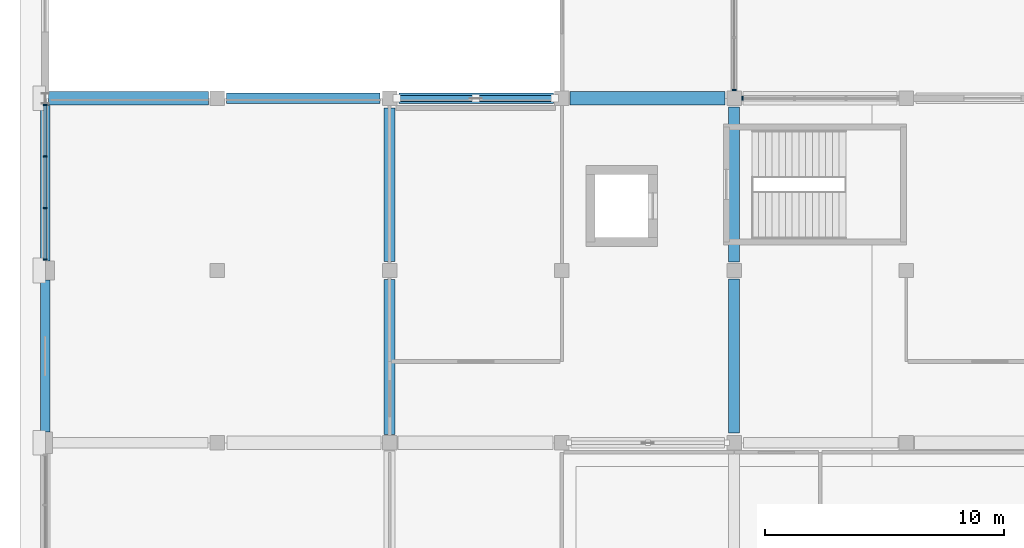
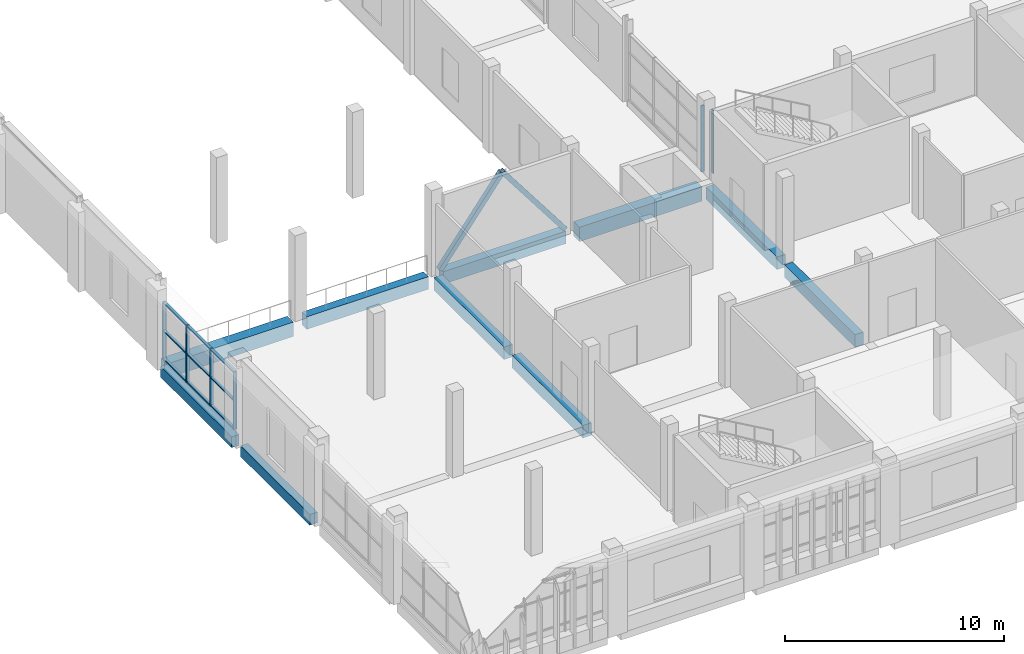
# One storey, part 18 of 82: 17 members, 10 beams, 3 elements without a shape of their own.
"""IFC4 building model written with IfcOpenShell, lengths in metres."""

import ifcopenshell
import ifcopenshell.guid

model = None  # the IFC model being written
_history = None  # IfcOwnerHistory: only IFC2X3 demands one
_inside = {}  # id of a spatial element -> (the spatial element, [elements in it])
_under = {}  # id of a project, library or spatial element -> (it, [spatial elements below it])
_declared = {}  # id of a project -> (the project, [libraries it declares])
_typed = {}  # id of a type object -> (the type object, [elements of that type])
_made_of = {}  # id of a material, layer set ... -> (it, [elements and type objects made of it])


def new_model(schema):
    """Start an empty IFC model of exactly this schema.

    Asked for "IFC4X3", IfcOpenShell would pick the latest addendum, in which some entities
    have other attributes; the version numbers below select the first issue.
    IFC2X3 requires an IfcOwnerHistory on every rooted entity: one is made here for all.
    """
    global model, _history
    if schema == "IFC4X3":
        model = ifcopenshell.file(schema_version=(4, 3, 0, 0))
    else:
        model = ifcopenshell.file(schema=schema)
    _inside.clear()
    _under.clear()
    _declared.clear()
    _typed.clear()
    _made_of.clear()
    _history = None
    if model.schema == "IFC2X3":
        org = make("IfcOrganization", Name="unknown")
        user = make(
            "IfcPersonAndOrganization",
            ThePerson=make("IfcPerson", FamilyName="unknown"),
            TheOrganization=org,
        )
        app = make(
            "IfcApplication",
            ApplicationDeveloper=org,
            Version="unknown",
            ApplicationFullName="unknown",
            ApplicationIdentifier="unknown",
        )
        _history = make(
            "IfcOwnerHistory",
            OwningUser=user,
            OwningApplication=app,
            ChangeAction="ADDED",
            CreationDate=0,
        )
    return model


def make(cls, **values):
    """One entity of the class cls with the attributes given. An attribute that is None is left unset."""
    return model.create_entity(
        cls, **{name: value for name, value in values.items() if value is not None}
    )


def rooted(cls, **values):
    """An entity with a GlobalId (a new one), such as an element, a storey or a relation."""
    return make(cls, GlobalId=ifcopenshell.guid.new(), OwnerHistory=_history, **values)


def si_unit(unit_type, name, prefix=None):
    """IfcSIUnit, for example si_unit("LENGTHUNIT", "METRE", prefix="MILLI")."""
    return make("IfcSIUnit", UnitType=unit_type, Prefix=prefix, Name=name)


def assignment(units):
    """IfcUnitAssignment: the units of a project."""
    return None if units is None else make("IfcUnitAssignment", Units=units)


def point(xyz):
    """IfcCartesianPoint."""
    return None if xyz is None else make("IfcCartesianPoint", Coordinates=xyz)


def direction(xyz):
    """IfcDirection."""
    return None if xyz is None else make("IfcDirection", DirectionRatios=xyz)


def frame(location, z_axis=None, x_axis=None):
    """IfcAxis2Placement3D, a coordinate frame: its origin and axes. An axis left out is left unset."""
    return make(
        "IfcAxis2Placement3D",
        Location=point(location),
        Axis=direction(z_axis),
        RefDirection=direction(x_axis),
    )


def frame_2d(location, x_axis=None):
    """IfcAxis2Placement2D, a coordinate frame in the plane: its origin and x axis."""
    return make(
        "IfcAxis2Placement2D", Location=point(location), RefDirection=direction(x_axis)
    )


def origin():
    """The frame at (0, 0, 0) with its axes left unset."""
    return frame((0.0, 0.0, 0.0))


def origin_2d():
    """The frame at (0, 0) in the plane with its x axis left unset."""
    return frame_2d((0.0, 0.0))


def place(relative_to, where):
    """IfcLocalPlacement: puts the frame where relative to a parent placement (None: the world)."""
    return make(
        "IfcLocalPlacement", PlacementRelTo=relative_to, RelativePlacement=where
    )


def context(
    kind, dimensions, precision=None, world=None, true_north=None, identifier=None
):
    """IfcGeometricRepresentationContext, for example the 3D "Model" context."""
    return make(
        "IfcGeometricRepresentationContext",
        ContextIdentifier=identifier,
        ContextType=kind,
        CoordinateSpaceDimension=dimensions,
        Precision=precision,
        WorldCoordinateSystem=world,
        TrueNorth=true_north,
    )


def subcontext(parent, identifier, kind, view, scale=None):
    """IfcGeometricRepresentationSubContext, for example "Body" below "Model"."""
    return make(
        "IfcGeometricRepresentationSubContext",
        ContextIdentifier=identifier,
        ContextType=kind,
        ParentContext=parent,
        TargetScale=scale,
        TargetView=view,
    )


def project(units=None, contexts=None):
    """IfcProject with its units and contexts."""
    return rooted(
        "IfcProject",
        Name="project",
        RepresentationContexts=contexts,
        UnitsInContext=assignment(units),
    )


def spatial(cls, under=None, at=None, **own):
    """A site, building, storey or space (cls), placed at a placement, below another one or the project."""
    s = rooted(cls, ObjectPlacement=at, **own)
    if under is not None:
        _under.setdefault(under.id(), (under, []))[1].append(s)
    return s


def profile(cls, at=None, kind="AREA", **sizes):
    """A parametric profile (cls). Its sizes go by their IFC names, for example OverallWidth=200.0."""
    return make(cls, ProfileType=kind, Position=at, **sizes)


def rectangle(**sizes):
    """IfcRectangleProfileDef."""
    return profile("IfcRectangleProfileDef", **sizes)


def hollow_rectangle(**sizes):
    """IfcRectangleHollowProfileDef."""
    return profile("IfcRectangleHollowProfileDef", **sizes)


def extrude(swept, where, along, depth):
    """IfcExtrudedAreaSolid: the profile swept, set in the frame where, extruded along a direction by depth."""
    return make(
        "IfcExtrudedAreaSolid",
        SweptArea=swept,
        Position=where,
        ExtrudedDirection=direction(along),
        Depth=depth,
    )


def shape(context_of_items, identifier, shape_type, items):
    """IfcShapeRepresentation: the items that make up one representation, for example the "Body"."""
    return make(
        "IfcShapeRepresentation",
        ContextOfItems=context_of_items,
        RepresentationIdentifier=identifier,
        RepresentationType=shape_type,
        Items=items,
    )


def material(Name=None, Category=None):
    """IfcMaterial."""
    return make("IfcMaterial", Name=Name, Category=Category)


def material_profile(
    of_material, cross_section, Name=None, Category=None, Priority=None
):
    """IfcMaterialProfile: a cross section and its material."""
    return make(
        "IfcMaterialProfile",
        Name=Name,
        Material=of_material,
        Profile=cross_section,
        Priority=Priority,
        Category=Category,
    )


def profile_set(profiles, Name=None, composite=None):
    """IfcMaterialProfileSet."""
    return make(
        "IfcMaterialProfileSet",
        Name=Name,
        MaterialProfiles=profiles,
        CompositeProfile=composite,
    )


def made_of(thing, what):
    """Note that an element or type object is made of a material, layer set ...; save() writes the relation."""
    if what is not None:
        _made_of.setdefault(what.id(), (what, []))[1].append(thing)
    return thing


def type_object(cls, material=None, **own):
    """A type object (cls), such as IfcWallType, which elements share."""
    return made_of(rooted(cls, **own), material)


def element(
    cls,
    number,
    at=None,
    inside=None,
    cuts=None,
    type_object=None,
    material=None,
    context=None,
    identifier="Body",
    shape_type=None,
    held_by="IfcProductDefinitionShape",
    body=None,
    shapes=None,
    **own,
):
    """One element of the class cls, such as IfcWall. Its Tag is "e" and its number.

    at: its placement. inside: the storey or other place that contains it. cuts: it is an
    opening in that element (IfcRelVoidsElement). A single representation is given by context,
    identifier, shape_type and body (its items); several are given by shapes. held_by: the class
    of the entity that holds the representations. save() writes the other relations.
    """
    e = rooted(cls, Tag="e%d" % number, ObjectPlacement=at, **own)
    if body is not None:
        shapes = [shape(context, identifier, shape_type, body)]
    if shapes is not None:
        e.Representation = make(held_by, Representations=shapes)
    if inside is not None:
        _inside.setdefault(inside.id(), (inside, []))[1].append(e)
    if cuts is not None:
        rooted(
            "IfcRelVoidsElement", RelatingBuildingElement=cuts, RelatedOpeningElement=e
        )
    if type_object is not None:
        _typed.setdefault(type_object.id(), (type_object, []))[1].append(e)
    return made_of(e, material)


def aggregate(whole, parts):
    """IfcRelAggregates: a whole, such as a stair, and the parts it consists of."""
    return rooted("IfcRelAggregates", RelatingObject=whole, RelatedObjects=parts)


def save(model, path):
    """Write the relations noted so far, then the file.

    IfcRelAggregates (storeys below a building ...), IfcRelContainedInSpatialStructure (elements
    in a storey), IfcRelDefinesByType, IfcRelAssociatesMaterial and IfcRelDeclares: one each for
    every whole, place, type object, material and project.
    """
    for whole, parts in _under.values():
        aggregate(whole, parts)
    for where, things in _inside.values():
        rooted(
            "IfcRelContainedInSpatialStructure",
            RelatedElements=things,
            RelatingStructure=where,
        )
    for kind, things in _typed.values():
        rooted("IfcRelDefinesByType", RelatedObjects=things, RelatingType=kind)
    for what, things in _made_of.values():
        rooted("IfcRelAssociatesMaterial", RelatedObjects=things, RelatingMaterial=what)
    for by, libraries in _declared.values():
        rooted("IfcRelDeclares", RelatingContext=by, RelatedDefinitions=libraries)
    model.write(path)


model = new_model("IFC4")

# Units and contexts
model_context = context("Model", 3, precision=1e-05, world=origin(), true_north=direction((0.0, 1.0)))
body_context = subcontext(model_context, "Body", "Model", "MODEL_VIEW")
ifc_project = project(units=[si_unit("LENGTHUNIT", "METRE"), si_unit("AREAUNIT", "SQUARE_METRE"), si_unit("VOLUMEUNIT", "CUBIC_METRE"), si_unit("PLANEANGLEUNIT", "RADIAN"), si_unit("MASSUNIT", "GRAM", prefix="KILO")], contexts=[model_context])

# Site, building, storey
site_placement = place(None, origin())
site = spatial("IfcSite", under=ifc_project, at=site_placement, CompositionType="ELEMENT")
building_placement = place(site_placement, origin())
building = spatial("IfcBuilding", under=site, at=building_placement, Name="Sardonyx Promenade Sports Hall", CompositionType="ELEMENT")
storey_placement = place(building_placement, frame((0.0, 0.0, 11.199951171875)))
storey = spatial("IfcBuildingStorey", under=building, at=storey_placement, Name="L02", CompositionType="ELEMENT", Elevation=11.199951171875)

# Beams
ifc_material_1 = material(Name="Concrete C40/50", Category="concrete")
ifc_material_profile_1 = material_profile(ifc_material_1, rectangle(XDim=0.550048828125, YDim=0.800048828125, at=origin_2d()))
ifc_profile_set_1 = profile_set([ifc_material_profile_1], Name="Concrete C40/50")
beam_type_1 = type_object("IfcBeamType", Name="Bm_Girder_RC800", PredefinedType="BEAM", material=ifc_profile_set_1)
beam_1_placement = place(storey_placement, frame((0.14990234375, 28.800048828125, -0.39990234375), z_axis=(1.0, 0.0, 0.0), x_axis=(0.0, 1.0, 0.0)))
element("IfcBeam", 1, at=beam_1_placement, inside=storey, type_object=beam_type_1, Name="Beam BG04 L02 #493", PredefinedType="BEAM", context=body_context, shape_type="SweptSolid", body=[
    extrude(rectangle(XDim=0.550048828125, YDim=0.800048828125, at=origin_2d()), origin(), (0.0, 0.0, 1.0), 6.675048828125),
])
beam_2_placement = place(storey_placement, frame((21.949951171875, 28.800048828125, -0.39990234375), z_axis=(1.0, 0.0, 0.0), x_axis=(0.0, 1.0, 0.0)))
element("IfcBeam", 2, at=beam_2_placement, inside=storey, type_object=beam_type_1, Name="Beam BG04 L02 #496", PredefinedType="BEAM", context=body_context, shape_type="SweptSolid", body=[
    extrude(rectangle(XDim=0.550048828125, YDim=0.800048828125, at=origin_2d()), origin(), (0.0, 0.0, 1.0), 6.47509765625),
])
ifc_material_2 = material(Name="Concrete C40/50", Category="concrete")
ifc_material_profile_2 = material_profile(ifc_material_2, rectangle(XDim=0.449951171875, YDim=0.699951171875, at=origin_2d()))
ifc_profile_set_2 = profile_set([ifc_material_profile_2], Name="Concrete C40/50")
beam_type_2 = type_object("IfcBeamType", Name="Bm_Primary_RC700", PredefinedType="BEAM", material=ifc_profile_set_2)
beam_3_placement = place(storey_placement, frame((7.574951171875, 28.800048828125, -0.349853515625), z_axis=(1.0, 0.0, 0.0), x_axis=(0.0, 1.0, 0.0)))
element("IfcBeam", 3, at=beam_3_placement, inside=storey, type_object=beam_type_2, Name="Beam BG01 L02 #494", PredefinedType="BEAM", context=body_context, shape_type="SweptSolid", body=[
    extrude(rectangle(XDim=0.449951171875, YDim=0.699951171875, at=origin_2d()), origin(), (0.0, 0.0, 1.0), 6.425048828125),
])
beam_4_placement = place(storey_placement, frame((14.800048828125, 28.800048828125, -0.349853515625), z_axis=(1.0, 0.0, 0.0), x_axis=(0.0, 1.0, 0.0)))
element("IfcBeam", 4, at=beam_4_placement, inside=storey, type_object=beam_type_2, Name="Beam BG01 L02 #495", PredefinedType="BEAM", context=body_context, shape_type="SweptSolid", body=[
    extrude(rectangle(XDim=0.449951171875, YDim=0.699951171875, at=origin_2d()), origin(), (0.0, 0.0, 1.0), 6.449951171875),
])
beam_5_placement = place(storey_placement, frame((14.39990234375, 14.75, -0.349853515625), z_axis=(0.0, 1.0, 0.0), x_axis=(-1.0, 0.0, 0.0)))
element("IfcBeam", 5, at=beam_5_placement, inside=storey, type_object=beam_type_2, Name="Beam BG01 L02 #574", PredefinedType="BEAM", context=body_context, shape_type="SweptSolid", body=[
    extrude(rectangle(XDim=0.449951171875, YDim=0.699951171875, at=origin_2d()), origin(), (0.0, 0.0, 1.0), 6.47509765625),
])
beam_6_placement = place(storey_placement, frame((14.39990234375, 21.97509765625, -0.349853515625), z_axis=(0.0, 1.0, 0.0), x_axis=(-1.0, 0.0, 0.0)))
element("IfcBeam", 6, at=beam_6_placement, inside=storey, type_object=beam_type_2, Name="Beam BG01 L02 #575", PredefinedType="BEAM", context=body_context, shape_type="SweptSolid", body=[
    extrude(rectangle(XDim=0.449951171875, YDim=0.699951171875, at=origin_2d()), origin(), (0.0, 0.0, 1.0), 6.4248046875),
])
beam_7_placement = place(storey_placement, frame((28.800048828125, 14.800048828125, -0.349853515625), z_axis=(0.0, 1.0, 0.0), x_axis=(-1.0, 0.0, 0.0)))
element("IfcBeam", 7, at=beam_7_placement, inside=storey, type_object=beam_type_2, Name="Beam BG01 L02 #581", PredefinedType="BEAM", context=body_context, shape_type="SweptSolid", body=[
    extrude(rectangle(XDim=0.449951171875, YDim=0.699951171875, at=origin_2d()), origin(), (0.0, 0.0, 1.0), 6.449951171875),
])
beam_8_placement = place(storey_placement, frame((28.800048828125, 21.949951171875, -0.349853515625), z_axis=(0.0, 1.0, 0.0), x_axis=(-1.0, 0.0, 0.0)))
element("IfcBeam", 8, at=beam_8_placement, inside=storey, type_object=beam_type_2, Name="Beam BG01 L02 #582", PredefinedType="BEAM", context=body_context, shape_type="SweptSolid", body=[
    extrude(rectangle(XDim=0.449951171875, YDim=0.699951171875, at=origin_2d()), origin(), (0.0, 0.0, 1.0), 6.47509765625),
])
ifc_material_3 = material(Name="Concrete C40/50", Category="concrete")
ifc_material_profile_3 = material_profile(ifc_material_3, rectangle(XDim=0.39990234375, YDim=0.60009765625, at=origin_2d()))
ifc_profile_set_3 = profile_set([ifc_material_profile_3], Name="Concrete C40/50")
beam_type_3 = type_object("IfcBeamType", Name="Bm_Spandrel_RC600", PredefinedType="SPANDREL", material=ifc_profile_set_3)
beam_9_placement = place(storey_placement, frame((0.0, 14.85009765625, -0.300048828125), z_axis=(0.0, 1.0, 0.0), x_axis=(-1.0, 0.0, 0.0)))
element("IfcBeam", 9, at=beam_9_placement, inside=storey, type_object=beam_type_3, Name="Beam SPB1 L02 #570", PredefinedType="SPANDREL", context=body_context, shape_type="SweptSolid", body=[
    extrude(rectangle(XDim=0.39990234375, YDim=0.60009765625, at=origin_2d()), origin(), (0.0, 0.0, 1.0), 6.349853515625),
])
beam_10_placement = place(storey_placement, frame((0.0, 22.0, -0.300048828125), z_axis=(0.0, 1.0, 0.0), x_axis=(-1.0, 0.0, 0.0)))
element("IfcBeam", 10, at=beam_10_placement, inside=storey, type_object=beam_type_3, Name="Beam SPB1 L02 #571", PredefinedType="SPANDREL", context=body_context, shape_type="SweptSolid", body=[
    extrude(rectangle(XDim=0.39990234375, YDim=0.60009765625, at=origin_2d()), origin(), (0.0, 0.0, 1.0), 6.5048828125),
])

# Curtain wall, member
ifc_material_4 = material(Name="Aluminium 6063-T6", Category="aluminium")
curtain_wall_type_1 = type_object("IfcCurtainWallType", Name="CW_EastWing_L02", PredefinedType="USERDEFINED", material=ifc_material_4)
curtain_wall_1_placement = place(storey_placement, origin())
curtain_wall_1 = element("IfcCurtainWall", 11, at=curtain_wall_1_placement, inside=storey, type_object=curtain_wall_type_1, Name="Curtain wall CW09 cw:L02:158", ObjectType="CURTAIN WALL", PredefinedType="USERDEFINED")
ifc_material_5 = material(Name="Aluminium 6063-T6", Category="aluminium")
ifc_material_profile_4 = material_profile(ifc_material_5, rectangle(XDim=0.06005859375, YDim=0.14990234375, at=origin_2d()))
ifc_profile_set_4 = profile_set([ifc_material_profile_4], Name="Aluminium 6063-T6")
member_type_1 = type_object("IfcMemberType", Name="CW_Mull_150", PredefinedType="MULLION", material=ifc_profile_set_4)
member_1_placement = place(storey_placement, frame((29.14990234375, 28.800048828125, 0.35009765625), z_axis=(0.0, 0.0, 1.0), x_axis=(1.0, 0.0, 0.0)))
member_1 = element("IfcMember", 12, at=member_1_placement, type_object=member_type_1, Name="Mullion CM01 cw:L02:158 #1", PredefinedType="MULLION", context=body_context, shape_type="SweptSolid", body=[
    extrude(rectangle(XDim=0.06005859375, YDim=0.14990234375, at=origin_2d()), origin(), (0.0, 0.0, 1.0), 3.550048828125),
])
aggregate(curtain_wall_1, [member_1])

# Curtain wall, members
ifc_material_6 = material(Name="Aluminium 6063-T6", Category="aluminium")
curtain_wall_type_2 = type_object("IfcCurtainWallType", Name="CW_Climb_Clerestory", PredefinedType="USERDEFINED", material=ifc_material_6)
curtain_wall_2_placement = place(storey_placement, origin())
curtain_wall_2 = element("IfcCurtainWall", 13, at=curtain_wall_2_placement, inside=storey, type_object=curtain_wall_type_2, Name="Curtain wall CW12 cw:L02:068", ObjectType="CURTAIN WALL", PredefinedType="USERDEFINED")
ifc_material_7 = material(Name="Aluminium 6063-T6", Category="aluminium")
ifc_material_profile_5 = material_profile(ifc_material_7, rectangle(XDim=0.06494140625, YDim=0.175048828125, at=origin_2d()))
ifc_profile_set_5 = profile_set([ifc_material_profile_5], Name="Aluminium 6063-T6")
member_type_2 = type_object("IfcMemberType", Name="CW_Mull_175", PredefinedType="MULLION", material=ifc_profile_set_5)
member_2_placement = place(storey_placement, frame((0.0, 22.052490234375, 0.35009765625), z_axis=(0.0, 0.0, 1.0), x_axis=(0.0, 1.0, 0.0)))
member_2 = element("IfcMember", 14, at=member_2_placement, type_object=member_type_2, Name="Mullion CM02 cw:L02:068 #1", PredefinedType="MULLION", context=body_context, shape_type="SweptSolid", body=[
    extrude(rectangle(XDim=0.06494140625, YDim=0.175048828125, at=origin_2d()), origin(), (0.0, 0.0, 1.0), 3.199951171875),
])
member_3_placement = place(storey_placement, frame((0.0, 24.2109375, 0.35009765625), z_axis=(0.0, 0.0, 1.0), x_axis=(0.0, 1.0, 0.0)))
member_3 = element("IfcMember", 15, at=member_3_placement, type_object=member_type_2, Name="Mullion CM02 cw:L02:068 #2", PredefinedType="MULLION", context=body_context, shape_type="SweptSolid", body=[
    extrude(rectangle(XDim=0.06494140625, YDim=0.175048828125, at=origin_2d()), origin(), (0.0, 0.0, 1.0), 3.199951171875),
])
member_4_placement = place(storey_placement, frame((0.0, 26.369140625, 0.35009765625), z_axis=(0.0, 0.0, 1.0), x_axis=(0.0, 1.0, 0.0)))
member_4 = element("IfcMember", 16, at=member_4_placement, type_object=member_type_2, Name="Mullion CM02 cw:L02:068 #3", PredefinedType="MULLION", context=body_context, shape_type="SweptSolid", body=[
    extrude(rectangle(XDim=0.06494140625, YDim=0.175048828125, at=origin_2d()), origin(), (0.0, 0.0, 1.0), 3.199951171875),
])
member_5_placement = place(storey_placement, frame((0.0, 28.527587890625, 0.35009765625), z_axis=(0.0, 0.0, 1.0), x_axis=(0.0, 1.0, 0.0)))
member_5 = element("IfcMember", 17, at=member_5_placement, type_object=member_type_2, Name="Mullion CM02 cw:L02:068 #4", PredefinedType="MULLION", context=body_context, shape_type="SweptSolid", body=[
    extrude(rectangle(XDim=0.06494140625, YDim=0.175048828125, at=origin_2d()), origin(), (0.0, 0.0, 1.0), 3.199951171875),
])

# Curtain wall, member
ifc_material_8 = material(Name="Aluminium 6063-T6", Category="aluminium")
curtain_wall_type_3 = type_object("IfcCurtainWallType", Name="CW_South_L02_640", PredefinedType="USERDEFINED", material=ifc_material_8)
curtain_wall_3_placement = place(storey_placement, origin())
curtain_wall_3 = element("IfcCurtainWall", 18, at=curtain_wall_3_placement, inside=storey, type_object=curtain_wall_type_3, Name="Curtain wall CW01 cw:L02:154", ObjectType="CURTAIN WALL", PredefinedType="USERDEFINED")
member_6_placement = place(storey_placement, frame((28.800048828125, 29.152587890625, 0.35009765625), z_axis=(0.0, 0.0, 1.0), x_axis=(0.0, -1.0, 0.0)))
member_6 = element("IfcMember", 19, at=member_6_placement, type_object=member_type_2, Name="Mullion CM02 cw:L02:154 #4", PredefinedType="MULLION", context=body_context, shape_type="SweptSolid", body=[
    extrude(rectangle(XDim=0.06494140625, YDim=0.175048828125, at=origin_2d()), origin(), (0.0, 0.0, 1.0), 3.699951171875),
])
aggregate(curtain_wall_3, [member_6])

# Member
ifc_material_9 = material(Name="Aluminium 6063-T6", Category="aluminium")
ifc_material_profile_6 = material_profile(ifc_material_9, rectangle(XDim=0.06494140625, YDim=0.139892578125, at=origin_2d()))
ifc_profile_set_6 = profile_set([ifc_material_profile_6], Name="Aluminium 6063-T6")
member_type_3 = type_object("IfcMemberType", Name="CW_Tran_140", PredefinedType="USERDEFINED", material=ifc_profile_set_6)
member_7_placement = place(storey_placement, frame((0.0, 22.0849609375, 0.382568359375), z_axis=(0.0, 1.0, 0.0), x_axis=(0.0, 0.0, 1.0)))
member_7 = element("IfcMember", 20, at=member_7_placement, type_object=member_type_3, Name="Transom CT02 cw:L02:068 #1", ObjectType="TRANSOM", PredefinedType="USERDEFINED", context=body_context, shape_type="SweptSolid", body=[
    extrude(rectangle(XDim=0.06494140625, YDim=0.139892578125, at=origin_2d()), origin(), (0.0, 0.0, 1.0), 2.09326171875),
])

member_8_placement = place(storey_placement, frame((0.0, 22.0849609375, 1.949951171875), z_axis=(0.0, 1.0, 0.0), x_axis=(0.0, 0.0, 1.0)))
member_8 = element("IfcMember", 21, at=member_8_placement, type_object=member_type_3, Name="Transom CT02 cw:L02:068 #2", ObjectType="TRANSOM", PredefinedType="USERDEFINED", context=body_context, shape_type="SweptSolid", body=[
    extrude(rectangle(XDim=0.06494140625, YDim=0.139892578125, at=origin_2d()), origin(), (0.0, 0.0, 1.0), 2.09326171875),
])

member_9_placement = place(storey_placement, frame((0.0, 22.0849609375, 3.517578125), z_axis=(0.0, 1.0, 0.0), x_axis=(0.0, 0.0, 1.0)))
member_9 = element("IfcMember", 22, at=member_9_placement, type_object=member_type_3, Name="Transom CT02 cw:L02:068 #3", ObjectType="TRANSOM", PredefinedType="USERDEFINED", context=body_context, shape_type="SweptSolid", body=[
    extrude(rectangle(XDim=0.06494140625, YDim=0.139892578125, at=origin_2d()), origin(), (0.0, 0.0, 1.0), 2.09326171875),
])

member_10_placement = place(storey_placement, frame((0.0, 24.243408203125, 0.382568359375), z_axis=(0.0, 1.0, 0.0), x_axis=(0.0, 0.0, 1.0)))
member_10 = element("IfcMember", 23, at=member_10_placement, type_object=member_type_3, Name="Transom CT02 cw:L02:068 #4", ObjectType="TRANSOM", PredefinedType="USERDEFINED", context=body_context, shape_type="SweptSolid", body=[
    extrude(rectangle(XDim=0.06494140625, YDim=0.139892578125, at=origin_2d()), origin(), (0.0, 0.0, 1.0), 2.09326171875),
])

member_11_placement = place(storey_placement, frame((0.0, 24.243408203125, 1.949951171875), z_axis=(0.0, 1.0, 0.0), x_axis=(0.0, 0.0, 1.0)))
member_11 = element("IfcMember", 24, at=member_11_placement, type_object=member_type_3, Name="Transom CT02 cw:L02:068 #5", ObjectType="TRANSOM", PredefinedType="USERDEFINED", context=body_context, shape_type="SweptSolid", body=[
    extrude(rectangle(XDim=0.06494140625, YDim=0.139892578125, at=origin_2d()), origin(), (0.0, 0.0, 1.0), 2.09326171875),
])

member_12_placement = place(storey_placement, frame((0.0, 24.243408203125, 3.517578125), z_axis=(0.0, 1.0, 0.0), x_axis=(0.0, 0.0, 1.0)))
member_12 = element("IfcMember", 25, at=member_12_placement, type_object=member_type_3, Name="Transom CT02 cw:L02:068 #6", ObjectType="TRANSOM", PredefinedType="USERDEFINED", context=body_context, shape_type="SweptSolid", body=[
    extrude(rectangle(XDim=0.06494140625, YDim=0.139892578125, at=origin_2d()), origin(), (0.0, 0.0, 1.0), 2.09326171875),
])

member_13_placement = place(storey_placement, frame((0.0, 26.401611328125, 0.382568359375), z_axis=(0.0, 1.0, 0.0), x_axis=(0.0, 0.0, 1.0)))
member_13 = element("IfcMember", 26, at=member_13_placement, type_object=member_type_3, Name="Transom CT02 cw:L02:068 #7", ObjectType="TRANSOM", PredefinedType="USERDEFINED", context=body_context, shape_type="SweptSolid", body=[
    extrude(rectangle(XDim=0.06494140625, YDim=0.139892578125, at=origin_2d()), origin(), (0.0, 0.0, 1.0), 2.093505859375),
])

member_14_placement = place(storey_placement, frame((0.0, 26.401611328125, 1.949951171875), z_axis=(0.0, 1.0, 0.0), x_axis=(0.0, 0.0, 1.0)))
member_14 = element("IfcMember", 27, at=member_14_placement, type_object=member_type_3, Name="Transom CT02 cw:L02:068 #8", ObjectType="TRANSOM", PredefinedType="USERDEFINED", context=body_context, shape_type="SweptSolid", body=[
    extrude(rectangle(XDim=0.06494140625, YDim=0.139892578125, at=origin_2d()), origin(), (0.0, 0.0, 1.0), 2.093505859375),
])

member_15_placement = place(storey_placement, frame((0.0, 26.401611328125, 3.517578125), z_axis=(0.0, 1.0, 0.0), x_axis=(0.0, 0.0, 1.0)))
member_15 = element("IfcMember", 28, at=member_15_placement, type_object=member_type_3, Name="Transom CT02 cw:L02:068 #9", ObjectType="TRANSOM", PredefinedType="USERDEFINED", context=body_context, shape_type="SweptSolid", body=[
    extrude(rectangle(XDim=0.06494140625, YDim=0.139892578125, at=origin_2d()), origin(), (0.0, 0.0, 1.0), 2.093505859375),
])

aggregate(curtain_wall_2, [member_2, member_3, member_4, member_5, member_7, member_8, member_9, member_10, member_11, member_12, member_13, member_14, member_15])

# Members
ifc_material_10 = material(Name="Steel S355JR", Category="steel")
ifc_material_profile_7 = material_profile(ifc_material_10, hollow_rectangle(XDim=0.25, YDim=0.25, WallThickness=0.012451171875, at=origin_2d()))
ifc_profile_set_7 = profile_set([ifc_material_profile_7], Name="Steel S355JR")
member_type_4 = type_object("IfcMemberType", Name="Mbr_Brace_SHS250_Int", PredefinedType="BRACE", material=ifc_profile_set_7)
for number, where, z_axis, x_axis, name in (
    (29, (14.699951171875, 28.800048828125, 0.02001953125), (0.606152648807, 0.0, 0.795348330195), (0.0, 1.0, 0.0), "Chevron brace BR05 BF5 L02 leg 1"),
    (30, (21.300048828125, 28.800048828125, 0.02001953125), (-0.606152648807, 0.0, 0.795348330195), (0.0, -1.0, 0.0), "Chevron brace BR05 BF5 L02 leg 2"),
):
    element("IfcMember", number, at=place(storey_placement, frame(where, z_axis=z_axis, x_axis=x_axis)), inside=storey, type_object=member_type_4, Name=name, PredefinedType="BRACE", context=body_context, shape_type="SweptSolid", body=[
        extrude(hollow_rectangle(XDim=0.25, YDim=0.25, WallThickness=0.012451171875, at=origin_2d()), origin(), (0.0, 0.0, 1.0), 5.4443359375),
    ])

save(model, "model.ifc")
